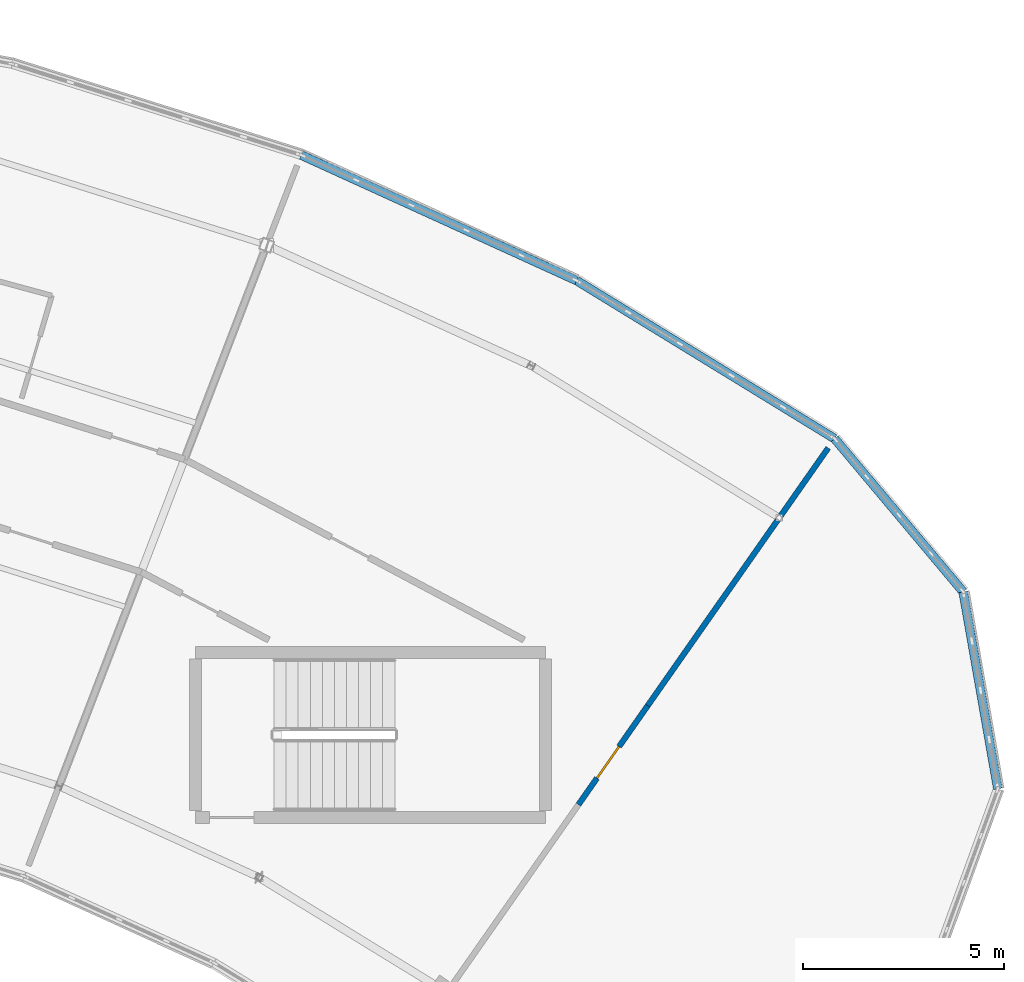
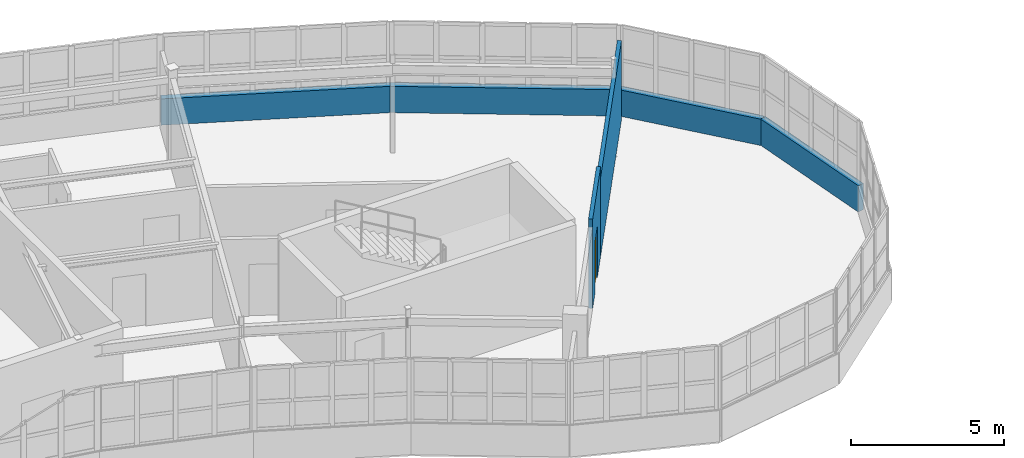
# One storey, part 56 of 65: 6 walls, 1 door, 1 opening.
"""IFC4 building model written with IfcOpenShell, lengths in metres."""

import ifcopenshell
import ifcopenshell.guid

model = None  # the IFC model being written
_history = None  # IfcOwnerHistory: only IFC2X3 demands one
_inside = {}  # id of a spatial element -> (the spatial element, [elements in it])
_under = {}  # id of a project, library or spatial element -> (it, [spatial elements below it])
_declared = {}  # id of a project -> (the project, [libraries it declares])
_typed = {}  # id of a type object -> (the type object, [elements of that type])
_made_of = {}  # id of a material, layer set ... -> (it, [elements and type objects made of it])


def new_model(schema):
    """Start an empty IFC model of exactly this schema.

    Asked for "IFC4X3", IfcOpenShell would pick the latest addendum, in which some entities
    have other attributes; the version numbers below select the first issue.
    IFC2X3 requires an IfcOwnerHistory on every rooted entity: one is made here for all.
    """
    global model, _history
    if schema == "IFC4X3":
        model = ifcopenshell.file(schema_version=(4, 3, 0, 0))
    else:
        model = ifcopenshell.file(schema=schema)
    _inside.clear()
    _under.clear()
    _declared.clear()
    _typed.clear()
    _made_of.clear()
    _history = None
    if model.schema == "IFC2X3":
        org = make("IfcOrganization", Name="unknown")
        user = make(
            "IfcPersonAndOrganization",
            ThePerson=make("IfcPerson", FamilyName="unknown"),
            TheOrganization=org,
        )
        app = make(
            "IfcApplication",
            ApplicationDeveloper=org,
            Version="unknown",
            ApplicationFullName="unknown",
            ApplicationIdentifier="unknown",
        )
        _history = make(
            "IfcOwnerHistory",
            OwningUser=user,
            OwningApplication=app,
            ChangeAction="ADDED",
            CreationDate=0,
        )
    return model


def make(cls, **values):
    """One entity of the class cls with the attributes given. An attribute that is None is left unset."""
    return model.create_entity(
        cls, **{name: value for name, value in values.items() if value is not None}
    )


def rooted(cls, **values):
    """An entity with a GlobalId (a new one), such as an element, a storey or a relation."""
    return make(cls, GlobalId=ifcopenshell.guid.new(), OwnerHistory=_history, **values)


def si_unit(unit_type, name, prefix=None):
    """IfcSIUnit, for example si_unit("LENGTHUNIT", "METRE", prefix="MILLI")."""
    return make("IfcSIUnit", UnitType=unit_type, Prefix=prefix, Name=name)


def assignment(units):
    """IfcUnitAssignment: the units of a project."""
    return None if units is None else make("IfcUnitAssignment", Units=units)


def point(xyz):
    """IfcCartesianPoint."""
    return None if xyz is None else make("IfcCartesianPoint", Coordinates=xyz)


def direction(xyz):
    """IfcDirection."""
    return None if xyz is None else make("IfcDirection", DirectionRatios=xyz)


def frame(location, z_axis=None, x_axis=None):
    """IfcAxis2Placement3D, a coordinate frame: its origin and axes. An axis left out is left unset."""
    return make(
        "IfcAxis2Placement3D",
        Location=point(location),
        Axis=direction(z_axis),
        RefDirection=direction(x_axis),
    )


def frame_2d(location, x_axis=None):
    """IfcAxis2Placement2D, a coordinate frame in the plane: its origin and x axis."""
    return make(
        "IfcAxis2Placement2D", Location=point(location), RefDirection=direction(x_axis)
    )


def origin():
    """The frame at (0, 0, 0) with its axes left unset."""
    return frame((0.0, 0.0, 0.0))


def place(relative_to, where):
    """IfcLocalPlacement: puts the frame where relative to a parent placement (None: the world)."""
    return make(
        "IfcLocalPlacement", PlacementRelTo=relative_to, RelativePlacement=where
    )


def context(
    kind, dimensions, precision=None, world=None, true_north=None, identifier=None
):
    """IfcGeometricRepresentationContext, for example the 3D "Model" context."""
    return make(
        "IfcGeometricRepresentationContext",
        ContextIdentifier=identifier,
        ContextType=kind,
        CoordinateSpaceDimension=dimensions,
        Precision=precision,
        WorldCoordinateSystem=world,
        TrueNorth=true_north,
    )


def subcontext(parent, identifier, kind, view, scale=None):
    """IfcGeometricRepresentationSubContext, for example "Body" below "Model"."""
    return make(
        "IfcGeometricRepresentationSubContext",
        ContextIdentifier=identifier,
        ContextType=kind,
        ParentContext=parent,
        TargetScale=scale,
        TargetView=view,
    )


def project(units=None, contexts=None):
    """IfcProject with its units and contexts."""
    return rooted(
        "IfcProject",
        Name="project",
        RepresentationContexts=contexts,
        UnitsInContext=assignment(units),
    )


def spatial(cls, under=None, at=None, **own):
    """A site, building, storey or space (cls), placed at a placement, below another one or the project."""
    s = rooted(cls, ObjectPlacement=at, **own)
    if under is not None:
        _under.setdefault(under.id(), (under, []))[1].append(s)
    return s


def profile(cls, at=None, kind="AREA", **sizes):
    """A parametric profile (cls). Its sizes go by their IFC names, for example OverallWidth=200.0."""
    return make(cls, ProfileType=kind, Position=at, **sizes)


def rectangle(**sizes):
    """IfcRectangleProfileDef."""
    return profile("IfcRectangleProfileDef", **sizes)


def extrude(swept, where, along, depth):
    """IfcExtrudedAreaSolid: the profile swept, set in the frame where, extruded along a direction by depth."""
    return make(
        "IfcExtrudedAreaSolid",
        SweptArea=swept,
        Position=where,
        ExtrudedDirection=direction(along),
        Depth=depth,
    )


def shape(context_of_items, identifier, shape_type, items):
    """IfcShapeRepresentation: the items that make up one representation, for example the "Body"."""
    return make(
        "IfcShapeRepresentation",
        ContextOfItems=context_of_items,
        RepresentationIdentifier=identifier,
        RepresentationType=shape_type,
        Items=items,
    )


def material(Name=None, Category=None):
    """IfcMaterial."""
    return make("IfcMaterial", Name=Name, Category=Category)


def layer(
    of_material, thickness, ventilated=None, Name=None, Category=None, Priority=None
):
    """IfcMaterialLayer: one layer of a wall or slab, of a material (None: an air gap)."""
    return make(
        "IfcMaterialLayer",
        Material=of_material,
        LayerThickness=thickness,
        IsVentilated=ventilated,
        Name=Name,
        Category=Category,
        Priority=Priority,
    )


def layer_set(layers, Name=None):
    """IfcMaterialLayerSet."""
    return make("IfcMaterialLayerSet", MaterialLayers=layers, LayerSetName=Name)


def made_of(thing, what):
    """Note that an element or type object is made of a material, layer set ...; save() writes the relation."""
    if what is not None:
        _made_of.setdefault(what.id(), (what, []))[1].append(thing)
    return thing


def type_object(cls, material=None, **own):
    """A type object (cls), such as IfcWallType, which elements share."""
    return made_of(rooted(cls, **own), material)


def element(
    cls,
    number,
    at=None,
    inside=None,
    cuts=None,
    type_object=None,
    material=None,
    context=None,
    identifier="Body",
    shape_type=None,
    held_by="IfcProductDefinitionShape",
    body=None,
    shapes=None,
    **own,
):
    """One element of the class cls, such as IfcWall. Its Tag is "e" and its number.

    at: its placement. inside: the storey or other place that contains it. cuts: it is an
    opening in that element (IfcRelVoidsElement). A single representation is given by context,
    identifier, shape_type and body (its items); several are given by shapes. held_by: the class
    of the entity that holds the representations. save() writes the other relations.
    """
    e = rooted(cls, Tag="e%d" % number, ObjectPlacement=at, **own)
    if body is not None:
        shapes = [shape(context, identifier, shape_type, body)]
    if shapes is not None:
        e.Representation = make(held_by, Representations=shapes)
    if inside is not None:
        _inside.setdefault(inside.id(), (inside, []))[1].append(e)
    if cuts is not None:
        rooted(
            "IfcRelVoidsElement", RelatingBuildingElement=cuts, RelatedOpeningElement=e
        )
    if type_object is not None:
        _typed.setdefault(type_object.id(), (type_object, []))[1].append(e)
    return made_of(e, material)


def fill(opening, filler):
    """IfcRelFillsElement: the door or window that sits in an opening."""
    return rooted(
        "IfcRelFillsElement",
        RelatingOpeningElement=opening,
        RelatedBuildingElement=filler,
    )


def aggregate(whole, parts):
    """IfcRelAggregates: a whole, such as a stair, and the parts it consists of."""
    return rooted("IfcRelAggregates", RelatingObject=whole, RelatedObjects=parts)


def save(model, path):
    """Write the relations noted so far, then the file.

    IfcRelAggregates (storeys below a building ...), IfcRelContainedInSpatialStructure (elements
    in a storey), IfcRelDefinesByType, IfcRelAssociatesMaterial and IfcRelDeclares: one each for
    every whole, place, type object, material and project.
    """
    for whole, parts in _under.values():
        aggregate(whole, parts)
    for where, things in _inside.values():
        rooted(
            "IfcRelContainedInSpatialStructure",
            RelatedElements=things,
            RelatingStructure=where,
        )
    for kind, things in _typed.values():
        rooted("IfcRelDefinesByType", RelatedObjects=things, RelatingType=kind)
    for what, things in _made_of.values():
        rooted("IfcRelAssociatesMaterial", RelatedObjects=things, RelatingMaterial=what)
    for by, libraries in _declared.values():
        rooted("IfcRelDeclares", RelatingContext=by, RelatedDefinitions=libraries)
    model.write(path)


model = new_model("IFC4")

# Units and contexts
model_context = context("Model", 3, precision=1e-05, world=origin(), true_north=direction((0.0, 1.0)))
body_context = subcontext(model_context, "Body", "Model", "MODEL_VIEW")
ifc_project = project(units=[si_unit("LENGTHUNIT", "METRE"), si_unit("AREAUNIT", "SQUARE_METRE"), si_unit("VOLUMEUNIT", "CUBIC_METRE"), si_unit("PLANEANGLEUNIT", "RADIAN"), si_unit("MASSUNIT", "GRAM", prefix="KILO")], contexts=[model_context])

# Site, building, storey
site_placement = place(None, origin())
site = spatial("IfcSite", under=ifc_project, at=site_placement, CompositionType="ELEMENT")
building_placement = place(site_placement, origin())
building = spatial("IfcBuilding", under=site, at=building_placement, Name="Tarnwether General Hospital", CompositionType="ELEMENT")
storey_placement = place(building_placement, frame((0.0, 0.0, 22.199951171875)))
storey = spatial("IfcBuildingStorey", under=building, at=storey_placement, Name="L05", CompositionType="ELEMENT", Elevation=22.199951171875)

# Walls
ifc_material_1 = material(Name="Streamlined white enamelled aluminium", Category="aluminium")
ifc_layer_1 = layer(ifc_material_1, 0.219970703125)
ifc_layer_set_1 = layer_set([ifc_layer_1], Name="Streamlined white enamelled aluminium")
wall_type_1 = type_object("IfcWallType", Name="WL-EX220", PredefinedType="STANDARD", material=ifc_layer_set_1)
wall_1_placement = place(storey_placement, frame((130.527099609375, 109.653076171875, 0.0), z_axis=(0.0, 0.0, 1.0), x_axis=(0.173426579259, -0.984846801085, 0.0)))
element("IfcWall", 1, at=wall_1_placement, inside=storey, type_object=wall_type_1, Name="Ward NW Streamlined White Spandrel EW-L05-0084", PredefinedType="STANDARD", context=body_context, shape_type="SweptSolid", body=[
    extrude(rectangle(XDim=4.96923828125, YDim=0.219970703125, at=frame_2d((2.484619140625, 0.0))), origin(), (0.0, 0.0, 1.0), 1.050048828125),
])
wall_2_placement = place(storey_placement, frame((127.33203125, 113.4599609375, 0.0), z_axis=(0.0, 0.0, 1.0), x_axis=(0.642871763415, -0.765973821879, 0.0)))
element("IfcWall", 2, at=wall_2_placement, inside=storey, type_object=wall_type_1, Name="Ward NW Streamlined White Spandrel EW-L05-0085", PredefinedType="STANDARD", context=body_context, shape_type="SweptSolid", body=[
    extrude(rectangle(XDim=4.969970703125, YDim=0.219970703125, at=frame_2d((2.48486328125, 0.0))), origin(), (0.0, 0.0, 1.0), 1.050048828125),
])
wall_3_placement = place(storey_placement, frame((120.9189453125, 117.389892578125, 0.0), z_axis=(0.0, 0.0, 1.0), x_axis=(0.852640903338, -0.522497358803, 0.0)))
element("IfcWall", 3, at=wall_3_placement, inside=storey, type_object=wall_type_1, Name="Ward NW Streamlined White Spandrel EW-L05-0086", PredefinedType="STANDARD", context=body_context, shape_type="SweptSolid", body=[
    extrude(rectangle(XDim=7.521484375, YDim=0.219970703125, at=frame_2d((3.7607421875, 0.0))), origin(), (0.0, 0.0, 1.0), 1.050048828125),
])
wall_4_placement = place(storey_placement, frame((114.074951171875, 120.509033203125, 0.0), z_axis=(0.0, 0.0, 1.0), x_axis=(0.909953604353, -0.414710064895, 0.0)))
element("IfcWall", 4, at=wall_4_placement, inside=storey, type_object=wall_type_1, Name="Ward NW Streamlined White Spandrel EW-L05-0087", PredefinedType="STANDARD", context=body_context, shape_type="SweptSolid", body=[
    extrude(rectangle(XDim=7.521240234375, YDim=0.219970703125, at=frame_2d((3.7607421875, 0.0))), origin(), (0.0, 0.0, 1.0), 1.050048828125),
])
ifc_material_2 = material(Name="Gypsum plasterboard")
ifc_layer_2 = layer(ifc_material_2, 0.139892578125)
ifc_layer_set_2 = layer_set([ifc_layer_2], Name="Gypsum plasterboard")
wall_type_2 = type_object("IfcWallType", Name="WL-PT140", PredefinedType="PARTITIONING", material=ifc_layer_set_2)
wall_5_placement = place(storey_placement, frame((122.68603515625, 106.824951171875, 0.0), z_axis=(0.0, 0.0, 1.0), x_axis=(0.573682336084, 0.819077882295, 0.0)))
element("IfcWall", 5, at=wall_5_placement, inside=storey, type_object=wall_type_2, Name="Interior Partition PT-L05-0446", PredefinedType="PARTITIONING", context=body_context, shape_type="SweptSolid", body=[
    extrude(rectangle(XDim=7.81982421875, YDim=0.139892578125, at=frame_2d((3.909912109375, 0.0))), origin(), (0.0, 0.0, 1.0), 3.14208984375),
])

# Wall, opening, door
wall_6_placement = place(storey_placement, frame((120.966064453125, 104.366943359375, 0.0), z_axis=(0.0, 0.0, 1.0), x_axis=(0.573320330817, 0.819331311663, 0.0)))
wall_6 = element("IfcWall", 6, at=wall_6_placement, inside=storey, type_object=wall_type_2, Name="Interior Partition PT-L05-0450", PredefinedType="PARTITIONING", context=body_context, shape_type="SweptSolid", body=[
    extrude(rectangle(XDim=3.0, YDim=0.139892578125, at=frame_2d((1.5, 0.0))), origin(), (0.0, 0.0, 1.0), 3.56005859375),
])
opening_placement = place(wall_6_placement, frame((0.800048828125, 0.0, 0.0)))
opening = element("IfcOpeningElement", 7, at=opening_placement, cuts=wall_6, Name="Opening D-10", PredefinedType="OPENING", context=body_context, shape_type="SweptSolid", body=[
    extrude(rectangle(XDim=0.9599609375, YDim=2.06005859375, at=frame_2d((0.47998046875, 1.030029296875))), frame((0.0, 0.080078125, 0.0), z_axis=(0.0, -1.0, 0.0), x_axis=(1.0, 0.0, 0.0)), (0.0, 0.0, 1.0), 0.159912109375),
])
ifc_material_3 = material(Name="Anodised aluminium", Category="aluminium")
door_type = type_object("IfcDoorType", Name="DR-IN10", OperationType="NOTDEFINED", PredefinedType="DOOR", material=ifc_material_3)
door_placement = place(opening_placement, origin())
door = element("IfcDoor", 8, at=door_placement, inside=storey, type_object=door_type, Name="Interior Door DR-L05-0249", OperationType="SINGLE_SWING_LEFT", OverallHeight=2.06005859375, OverallWidth=0.9599609375, PredefinedType="DOOR", context=body_context, shape_type="SweptSolid", body=[
    extrude(rectangle(XDim=0.9599609375, YDim=2.06005859375, at=frame_2d((0.47998046875, 1.030029296875))), frame((0.0, 0.02490234375, 0.0), z_axis=(0.0, -1.0, 0.0), x_axis=(1.0, 0.0, 0.0)), (0.0, 0.0, 1.0), 0.050048828125),
])
fill(opening, door)

save(model, "model.ifc")
